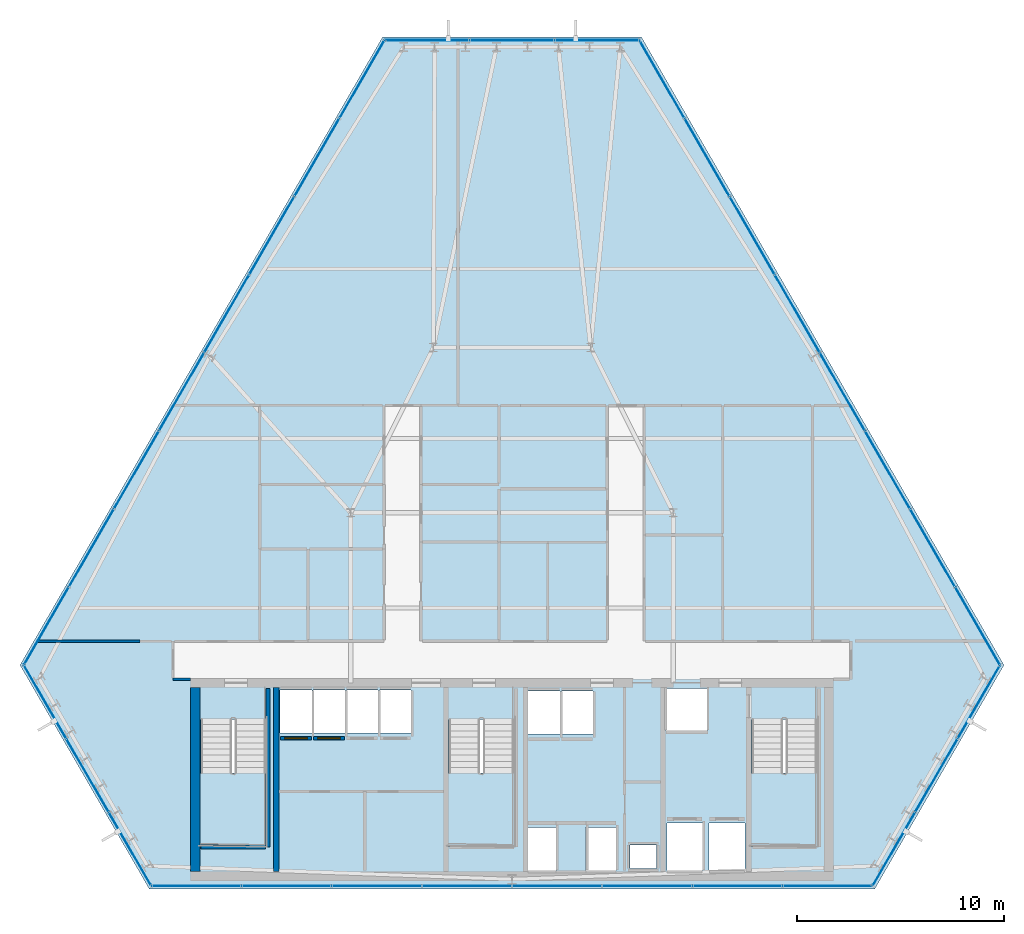
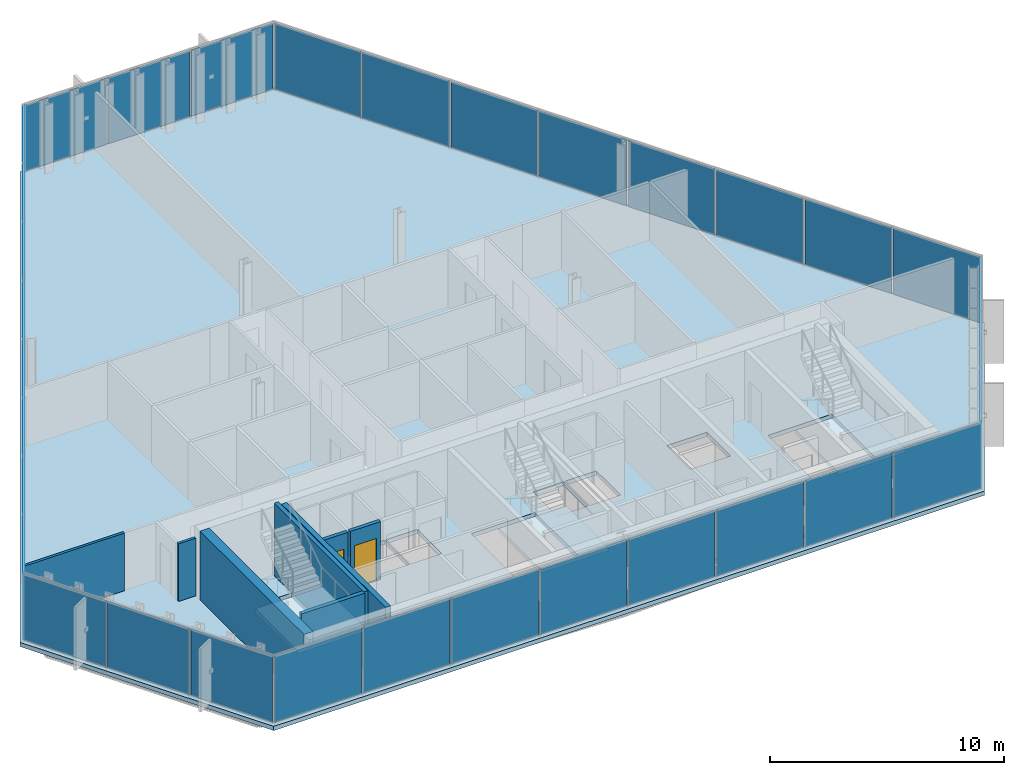
# One storey, part 24 of 32: 33 plates, 8 walls, 4 slabs, 2 doors, 2 openings, 9 elements without a shape of their own.
"""IFC4 building model written with IfcOpenShell, lengths in metres."""

from ifc_helpers import new_model, si_unit, direction, frame, frame_2d, origin, origin_2d, place, context, subcontext, project, spatial, polyline, rectangle, outline, extrude, material, layer, layer_set, type_object, element, fill, aggregate, save


model = new_model("IFC4")

# Units and contexts
model_context = context("Model", 3, precision=1e-05, world=origin(), true_north=direction((0.0, 1.0)))
body_context = subcontext(model_context, "Body", "Model", "MODEL_VIEW")
ifc_project = project(units=[si_unit("LENGTHUNIT", "METRE"), si_unit("AREAUNIT", "SQUARE_METRE"), si_unit("VOLUMEUNIT", "CUBIC_METRE"), si_unit("PLANEANGLEUNIT", "RADIAN"), si_unit("MASSUNIT", "GRAM", prefix="KILO")], contexts=[model_context])

# Site, building, storey
site_placement = place(None, origin())
site = spatial("IfcSite", under=ifc_project, at=site_placement, CompositionType="ELEMENT")
building_placement = place(site_placement, origin())
building = spatial("IfcBuilding", under=site, at=building_placement, Name="Ndaravel Arena Tower", CompositionType="ELEMENT")
storey_placement = place(building_placement, frame((0.0, 0.0, 130.800048828125)))
storey = spatial("IfcBuildingStorey", under=building, at=storey_placement, Name="L30", CompositionType="ELEMENT", Elevation=130.800048828125)

# Curtain wall, plate
ifc_material_1 = material(Name="Aluminium", Category="aluminium")
ifc_layer_1 = layer(ifc_material_1, 0.179931640625)
ifc_layer_set_1 = layer_set([ifc_layer_1], Name="Aluminium")
curtain_wall_type_1 = type_object("IfcCurtainWallType", Name="CW-SYS-01", PredefinedType="NOTDEFINED", material=ifc_layer_set_1)
curtain_wall_1_placement = place(storey_placement, origin())
curtain_wall_1 = element("IfcCurtainWall", 1, at=curtain_wall_1_placement, inside=storey, type_object=curtain_wall_type_1, Name="L30 Faceted Crystal Curtain Wall CW-L30-E02", PredefinedType="NOTDEFINED")
ifc_material_2 = material(Name="Glazing", Category="glass")
ifc_layer_2 = layer(ifc_material_2, 0.035888671875)
ifc_layer_set_2 = layer_set([ifc_layer_2], Name="Glazing")
plate_type_1 = type_object("IfcPlateType", Name="PLT-CW-OPVENT", PredefinedType="CURTAIN_PANEL", material=ifc_layer_set_2)
plate_1_placement = place(storey_placement, frame((62.528076171875, 10.50048828125, 0.06005859375), z_axis=(0.0, 0.0, 1.0), x_axis=(0.5, 0.866025403784, 0.0)))
plate_1 = element("IfcPlate", 2, at=plate_1_placement, type_object=plate_type_1, Name="CW-L30-E02 Operable Vent Sash Panel 02", PredefinedType="CURTAIN_PANEL", context=body_context, shape_type="SweptSolid", body=[
    extrude(rectangle(XDim=4.03125, YDim=0.035888671875, at=origin_2d()), origin(), (0.0, 0.0, 1.0), 3.4599609375),
])

curtain_wall_2_placement = place(storey_placement, origin())
curtain_wall_2 = element("IfcCurtainWall", 3, at=curtain_wall_2_placement, inside=storey, type_object=curtain_wall_type_1, Name="L30 Faceted Crystal Curtain Wall CW-L30-E04", PredefinedType="NOTDEFINED")
plate_2_placement = place(storey_placement, frame((42.0, 46.05615234375, 0.06005859375), z_axis=(0.0, 0.0, 1.0), x_axis=(-1.0, 0.0, 0.0)))
plate_2 = element("IfcPlate", 4, at=plate_2_placement, type_object=plate_type_1, Name="CW-L30-E04 Operable Vent Sash Panel 02", PredefinedType="CURTAIN_PANEL", context=body_context, shape_type="SweptSolid", body=[
    extrude(rectangle(XDim=4.031005859375, YDim=0.035888671875, at=origin_2d()), origin(), (0.0, 0.0, 1.0), 3.4599609375),
])

ifc_material_3 = material(Name="Aluminium", Category="aluminium")
ifc_layer_3 = layer(ifc_material_3, 0.179931640625)
ifc_layer_set_3 = layer_set([ifc_layer_3], Name="Aluminium")
curtain_wall_type_2 = type_object("IfcCurtainWallType", Name="CW-SYS-02", PredefinedType="NOTDEFINED", material=ifc_layer_set_3)
curtain_wall_3_placement = place(storey_placement, origin())
curtain_wall_3 = element("IfcCurtainWall", 5, at=curtain_wall_3_placement, inside=storey, type_object=curtain_wall_type_2, Name="L30 Faceted Crystal Curtain Wall CW-L30-E06", PredefinedType="NOTDEFINED")
plate_3_placement = place(storey_placement, frame((21.471923828125, 10.50048828125, 0.06005859375), z_axis=(0.0, 0.0, 1.0), x_axis=(0.5, -0.866025403784, 0.0)))
plate_3 = element("IfcPlate", 6, at=plate_3_placement, type_object=plate_type_1, Name="CW-L30-E06 Operable Vent Sash Panel 02", PredefinedType="CURTAIN_PANEL", context=body_context, shape_type="SweptSolid", body=[
    extrude(rectangle(XDim=4.03125, YDim=0.035888671875, at=origin_2d()), origin(), (0.0, 0.0, 1.0), 3.4599609375),
])

# Plate
ifc_material_4 = material(Name="Glazing", Category="glass")
ifc_layer_4 = layer(ifc_material_4, 0.031982421875)
ifc_layer_set_4 = layer_set([ifc_layer_4], Name="Glazing")
plate_type_2 = type_object("IfcPlateType", Name="PLT-GLZ-FRIT35", PredefinedType="CURTAIN_PANEL", material=ifc_layer_set_4)
plate_4_placement = place(storey_placement, frame((60.472412109375, 6.940185546875, 0.06005859375), z_axis=(0.0, 0.0, 1.0), x_axis=(0.5, 0.866025403784, 0.0)))
plate_4 = element("IfcPlate", 7, at=plate_4_placement, type_object=plate_type_2, Name="CW-L30-E02 Vision Glass Panel 01", PredefinedType="CURTAIN_PANEL", context=body_context, shape_type="SweptSolid", body=[
    extrude(rectangle(XDim=4.03125, YDim=0.035888671875, at=origin_2d()), origin(), (0.0, 0.0, 1.0), 3.4599609375),
])

plate_5_placement = place(storey_placement, frame((64.58349609375, 14.060791015625, 0.06005859375), z_axis=(0.0, 0.0, 1.0), x_axis=(0.5, 0.866025403784, 0.0)))
plate_5 = element("IfcPlate", 8, at=plate_5_placement, type_object=plate_type_2, Name="CW-L30-E02 Vision Glass Panel 03", PredefinedType="CURTAIN_PANEL", context=body_context, shape_type="SweptSolid", body=[
    extrude(rectangle(XDim=4.03125, YDim=0.035888671875, at=origin_2d()), origin(), (0.0, 0.0, 1.0), 3.4599609375),
])

aggregate(curtain_wall_1, [plate_4, plate_1, plate_5])

plate_6_placement = place(storey_placement, frame((46.111083984375, 46.05615234375, 0.06005859375), z_axis=(0.0, 0.0, 1.0), x_axis=(-1.0, 0.0, 0.0)))
plate_6 = element("IfcPlate", 9, at=plate_6_placement, type_object=plate_type_2, Name="CW-L30-E04 Vision Glass Panel 01", PredefinedType="CURTAIN_PANEL", context=body_context, shape_type="SweptSolid", body=[
    extrude(rectangle(XDim=4.031005859375, YDim=0.035888671875, at=origin_2d()), origin(), (0.0, 0.0, 1.0), 3.4599609375),
])

plate_7_placement = place(storey_placement, frame((37.888916015625, 46.05615234375, 0.06005859375), z_axis=(0.0, 0.0, 1.0), x_axis=(-1.0, 0.0, 0.0)))
plate_7 = element("IfcPlate", 10, at=plate_7_placement, type_object=plate_type_2, Name="CW-L30-E04 Vision Glass Panel 03", PredefinedType="CURTAIN_PANEL", context=body_context, shape_type="SweptSolid", body=[
    extrude(rectangle(XDim=4.031005859375, YDim=0.035888671875, at=origin_2d()), origin(), (0.0, 0.0, 1.0), 3.4599609375),
])

aggregate(curtain_wall_2, [plate_6, plate_2, plate_7])

ifc_material_5 = material(Name="Glazing", Category="glass")
ifc_layer_5 = layer(ifc_material_5, 0.035888671875)
ifc_layer_set_5 = layer_set([ifc_layer_5], Name="Glazing")
plate_type_3 = type_object("IfcPlateType", Name="PLT-GLZ-FRIT55", PredefinedType="CURTAIN_PANEL", material=ifc_layer_set_5)
plate_8_placement = place(storey_placement, frame((19.41650390625, 14.060791015625, 0.06005859375), z_axis=(0.0, 0.0, 1.0), x_axis=(0.5, -0.866025403784, 0.0)))
plate_8 = element("IfcPlate", 11, at=plate_8_placement, type_object=plate_type_3, Name="CW-L30-E06 Vision Glass Panel 01", PredefinedType="CURTAIN_PANEL", context=body_context, shape_type="SweptSolid", body=[
    extrude(rectangle(XDim=4.03125, YDim=0.035888671875, at=origin_2d()), origin(), (0.0, 0.0, 1.0), 3.4599609375),
])

plate_9_placement = place(storey_placement, frame((23.527587890625, 6.940185546875, 0.06005859375), z_axis=(0.0, 0.0, 1.0), x_axis=(0.5, -0.866025403784, 0.0)))
plate_9 = element("IfcPlate", 12, at=plate_9_placement, type_object=plate_type_3, Name="CW-L30-E06 Vision Glass Panel 03", PredefinedType="CURTAIN_PANEL", context=body_context, shape_type="SweptSolid", body=[
    extrude(rectangle(XDim=4.03125, YDim=0.035888671875, at=origin_2d()), origin(), (0.0, 0.0, 1.0), 3.4599609375),
])

aggregate(curtain_wall_3, [plate_8, plate_3, plate_9])

# Curtain wall, plates
ifc_material_6 = material(Name="Aluminium", Category="aluminium")
ifc_layer_6 = layer(ifc_material_6, 0.179931640625)
ifc_layer_set_6 = layer_set([ifc_layer_6], Name="Aluminium")
curtain_wall_type_3 = type_object("IfcCurtainWallType", Name="CW-SYS-03", PredefinedType="NOTDEFINED", material=ifc_layer_set_6)
curtain_wall_4_placement = place(storey_placement, origin())
curtain_wall_4 = element("IfcCurtainWall", 13, at=curtain_wall_4_placement, inside=storey, type_object=curtain_wall_type_3, Name="L30 Faceted Crystal Curtain Wall CW-L30-E01", PredefinedType="NOTDEFINED")
ifc_material_7 = material(Name="Glazing", Category="glass")
ifc_layer_7 = layer(ifc_material_7, 0.0400390625)
ifc_layer_set_7 = layer_set([ifc_layer_7], Name="Glazing")
plate_type_4 = type_object("IfcPlateType", Name="PLT-GLZ-LOWIRON", PredefinedType="CURTAIN_PANEL", material=ifc_layer_set_7)
plate_10_placement = place(storey_placement, frame((26.736083984375, 5.159912109375, 0.06005859375), z_axis=(0.0, 0.0, 1.0), x_axis=(1.0, 0.0, 0.0)))
plate_10 = element("IfcPlate", 14, at=plate_10_placement, type_object=plate_type_4, Name="CW-L30-E01 Vision Glass Panel 01", PredefinedType="CURTAIN_PANEL", context=body_context, shape_type="SweptSolid", body=[
    extrude(rectangle(XDim=4.28125, YDim=0.035888671875, at=origin_2d()), origin(), (0.0, 0.0, 1.0), 3.4599609375),
])
plate_11_placement = place(storey_placement, frame((31.09716796875, 5.159912109375, 0.06005859375), z_axis=(0.0, 0.0, 1.0), x_axis=(1.0, 0.0, 0.0)))
plate_11 = element("IfcPlate", 15, at=plate_11_placement, type_object=plate_type_4, Name="CW-L30-E01 Vision Glass Panel 02", PredefinedType="CURTAIN_PANEL", context=body_context, shape_type="SweptSolid", body=[
    extrude(rectangle(XDim=4.28125, YDim=0.035888671875, at=origin_2d()), origin(), (0.0, 0.0, 1.0), 3.4599609375),
])
plate_12_placement = place(storey_placement, frame((35.458251953125, 5.159912109375, 0.06005859375), z_axis=(0.0, 0.0, 1.0), x_axis=(1.0, 0.0, 0.0)))
plate_12 = element("IfcPlate", 16, at=plate_12_placement, type_object=plate_type_4, Name="CW-L30-E01 Vision Glass Panel 03", PredefinedType="CURTAIN_PANEL", context=body_context, shape_type="SweptSolid", body=[
    extrude(rectangle(XDim=4.28125, YDim=0.035888671875, at=origin_2d()), origin(), (0.0, 0.0, 1.0), 3.4599609375),
])
plate_13_placement = place(storey_placement, frame((39.8193359375, 5.159912109375, 0.06005859375), z_axis=(0.0, 0.0, 1.0), x_axis=(1.0, 0.0, 0.0)))
plate_13 = element("IfcPlate", 17, at=plate_13_placement, type_object=plate_type_4, Name="CW-L30-E01 Vision Glass Panel 04", PredefinedType="CURTAIN_PANEL", context=body_context, shape_type="SweptSolid", body=[
    extrude(rectangle(XDim=4.28125, YDim=0.035888671875, at=origin_2d()), origin(), (0.0, 0.0, 1.0), 3.4599609375),
])
plate_14_placement = place(storey_placement, frame((44.1806640625, 5.159912109375, 0.06005859375), z_axis=(0.0, 0.0, 1.0), x_axis=(1.0, 0.0, 0.0)))
plate_14 = element("IfcPlate", 18, at=plate_14_placement, type_object=plate_type_4, Name="CW-L30-E01 Vision Glass Panel 05", PredefinedType="CURTAIN_PANEL", context=body_context, shape_type="SweptSolid", body=[
    extrude(rectangle(XDim=4.28125, YDim=0.035888671875, at=origin_2d()), origin(), (0.0, 0.0, 1.0), 3.4599609375),
])
plate_15_placement = place(storey_placement, frame((48.541748046875, 5.159912109375, 0.06005859375), z_axis=(0.0, 0.0, 1.0), x_axis=(1.0, 0.0, 0.0)))
plate_15 = element("IfcPlate", 19, at=plate_15_placement, type_object=plate_type_4, Name="CW-L30-E01 Vision Glass Panel 06", PredefinedType="CURTAIN_PANEL", context=body_context, shape_type="SweptSolid", body=[
    extrude(rectangle(XDim=4.28125, YDim=0.035888671875, at=origin_2d()), origin(), (0.0, 0.0, 1.0), 3.4599609375),
])
plate_16_placement = place(storey_placement, frame((52.90283203125, 5.159912109375, 0.06005859375), z_axis=(0.0, 0.0, 1.0), x_axis=(1.0, 0.0, 0.0)))
plate_16 = element("IfcPlate", 20, at=plate_16_placement, type_object=plate_type_4, Name="CW-L30-E01 Vision Glass Panel 07", PredefinedType="CURTAIN_PANEL", context=body_context, shape_type="SweptSolid", body=[
    extrude(rectangle(XDim=4.28125, YDim=0.035888671875, at=origin_2d()), origin(), (0.0, 0.0, 1.0), 3.4599609375),
])
plate_17_placement = place(storey_placement, frame((57.263916015625, 5.159912109375, 0.06005859375), z_axis=(0.0, 0.0, 1.0), x_axis=(1.0, 0.0, 0.0)))
plate_17 = element("IfcPlate", 21, at=plate_17_placement, type_object=plate_type_4, Name="CW-L30-E01 Vision Glass Panel 08", PredefinedType="CURTAIN_PANEL", context=body_context, shape_type="SweptSolid", body=[
    extrude(rectangle(XDim=4.28125, YDim=0.035888671875, at=origin_2d()), origin(), (0.0, 0.0, 1.0), 3.4599609375),
])
aggregate(curtain_wall_4, [plate_10, plate_11, plate_12, plate_13, plate_14, plate_15, plate_16, plate_17])

curtain_wall_5_placement = place(storey_placement, origin())
curtain_wall_5 = element("IfcCurtainWall", 22, at=curtain_wall_5_placement, inside=storey, type_object=curtain_wall_type_3, Name="L30 Faceted Crystal Curtain Wall CW-L30-E03", PredefinedType="NOTDEFINED")
plate_18_placement = place(storey_placement, frame((64.52099609375, 17.7294921875, 0.06005859375), z_axis=(0.0, 0.0, 1.0), x_axis=(-0.5, 0.866025403784, 0.0)))
plate_18 = element("IfcPlate", 23, at=plate_18_placement, type_object=plate_type_4, Name="CW-L30-E03 Vision Glass Panel 01", PredefinedType="CURTAIN_PANEL", context=body_context, shape_type="SweptSolid", body=[
    extrude(rectangle(XDim=4.28125, YDim=0.035888671875, at=origin_2d()), origin(), (0.0, 0.0, 1.0), 3.4599609375),
])
plate_19_placement = place(storey_placement, frame((62.34033203125, 21.50634765625, 0.06005859375), z_axis=(0.0, 0.0, 1.0), x_axis=(-0.5, 0.866025403784, 0.0)))
plate_19 = element("IfcPlate", 24, at=plate_19_placement, type_object=plate_type_4, Name="CW-L30-E03 Vision Glass Panel 02", PredefinedType="CURTAIN_PANEL", context=body_context, shape_type="SweptSolid", body=[
    extrude(rectangle(XDim=4.28125, YDim=0.035888671875, at=origin_2d()), origin(), (0.0, 0.0, 1.0), 3.4599609375),
])
plate_20_placement = place(storey_placement, frame((60.159912109375, 25.283203125, 0.06005859375), z_axis=(0.0, 0.0, 1.0), x_axis=(-0.5, 0.866025403784, 0.0)))
plate_20 = element("IfcPlate", 25, at=plate_20_placement, type_object=plate_type_4, Name="CW-L30-E03 Vision Glass Panel 03", PredefinedType="CURTAIN_PANEL", context=body_context, shape_type="SweptSolid", body=[
    extrude(rectangle(XDim=4.28125, YDim=0.035888671875, at=origin_2d()), origin(), (0.0, 0.0, 1.0), 3.4599609375),
])
plate_21_placement = place(storey_placement, frame((57.979248046875, 29.060302734375, 0.06005859375), z_axis=(0.0, 0.0, 1.0), x_axis=(-0.5, 0.866025403784, 0.0)))
plate_21 = element("IfcPlate", 26, at=plate_21_placement, type_object=plate_type_4, Name="CW-L30-E03 Vision Glass Panel 04", PredefinedType="CURTAIN_PANEL", context=body_context, shape_type="SweptSolid", body=[
    extrude(rectangle(XDim=4.28125, YDim=0.035888671875, at=origin_2d()), origin(), (0.0, 0.0, 1.0), 3.4599609375),
])
plate_22_placement = place(storey_placement, frame((55.798583984375, 32.8369140625, 0.06005859375), z_axis=(0.0, 0.0, 1.0), x_axis=(-0.5, 0.866025403784, 0.0)))
plate_22 = element("IfcPlate", 27, at=plate_22_placement, type_object=plate_type_4, Name="CW-L30-E03 Vision Glass Panel 05", PredefinedType="CURTAIN_PANEL", context=body_context, shape_type="SweptSolid", body=[
    extrude(rectangle(XDim=4.28125, YDim=0.035888671875, at=origin_2d()), origin(), (0.0, 0.0, 1.0), 3.4599609375),
])
plate_23_placement = place(storey_placement, frame((53.6181640625, 36.614013671875, 0.06005859375), z_axis=(0.0, 0.0, 1.0), x_axis=(-0.5, 0.866025403784, 0.0)))
plate_23 = element("IfcPlate", 28, at=plate_23_placement, type_object=plate_type_4, Name="CW-L30-E03 Vision Glass Panel 06", PredefinedType="CURTAIN_PANEL", context=body_context, shape_type="SweptSolid", body=[
    extrude(rectangle(XDim=4.28125, YDim=0.035888671875, at=origin_2d()), origin(), (0.0, 0.0, 1.0), 3.4599609375),
])
plate_24_placement = place(storey_placement, frame((51.4375, 40.390869140625, 0.06005859375), z_axis=(0.0, 0.0, 1.0), x_axis=(-0.5, 0.866025403784, 0.0)))
plate_24 = element("IfcPlate", 29, at=plate_24_placement, type_object=plate_type_4, Name="CW-L30-E03 Vision Glass Panel 07", PredefinedType="CURTAIN_PANEL", context=body_context, shape_type="SweptSolid", body=[
    extrude(rectangle(XDim=4.28125, YDim=0.035888671875, at=origin_2d()), origin(), (0.0, 0.0, 1.0), 3.4599609375),
])
plate_25_placement = place(storey_placement, frame((49.257080078125, 44.167724609375, 0.06005859375), z_axis=(0.0, 0.0, 1.0), x_axis=(-0.5, 0.866025403784, 0.0)))
plate_25 = element("IfcPlate", 30, at=plate_25_placement, type_object=plate_type_4, Name="CW-L30-E03 Vision Glass Panel 08", PredefinedType="CURTAIN_PANEL", context=body_context, shape_type="SweptSolid", body=[
    extrude(rectangle(XDim=4.28125, YDim=0.035888671875, at=origin_2d()), origin(), (0.0, 0.0, 1.0), 3.4599609375),
])
aggregate(curtain_wall_5, [plate_18, plate_19, plate_20, plate_21, plate_22, plate_23, plate_24, plate_25])

curtain_wall_6_placement = place(storey_placement, origin())
curtain_wall_6 = element("IfcCurtainWall", 31, at=curtain_wall_6_placement, inside=storey, type_object=curtain_wall_type_3, Name="L30 Faceted Crystal Curtain Wall CW-L30-E05", PredefinedType="NOTDEFINED")
plate_26_placement = place(storey_placement, frame((34.742919921875, 44.167724609375, 0.06005859375), z_axis=(0.0, 0.0, 1.0), x_axis=(-0.5, -0.866025403784, 0.0)))
plate_26 = element("IfcPlate", 32, at=plate_26_placement, type_object=plate_type_4, Name="CW-L30-E05 Vision Glass Panel 01", PredefinedType="CURTAIN_PANEL", context=body_context, shape_type="SweptSolid", body=[
    extrude(rectangle(XDim=4.28125, YDim=0.035888671875, at=origin_2d()), origin(), (0.0, 0.0, 1.0), 3.4599609375),
])
plate_27_placement = place(storey_placement, frame((32.5625, 40.390869140625, 0.06005859375), z_axis=(0.0, 0.0, 1.0), x_axis=(-0.5, -0.866025403784, 0.0)))
plate_27 = element("IfcPlate", 33, at=plate_27_placement, type_object=plate_type_4, Name="CW-L30-E05 Vision Glass Panel 02", PredefinedType="CURTAIN_PANEL", context=body_context, shape_type="SweptSolid", body=[
    extrude(rectangle(XDim=4.28125, YDim=0.035888671875, at=origin_2d()), origin(), (0.0, 0.0, 1.0), 3.4599609375),
])
plate_28_placement = place(storey_placement, frame((30.3818359375, 36.614013671875, 0.06005859375), z_axis=(0.0, 0.0, 1.0), x_axis=(-0.5, -0.866025403784, 0.0)))
plate_28 = element("IfcPlate", 34, at=plate_28_placement, type_object=plate_type_4, Name="CW-L30-E05 Vision Glass Panel 03", PredefinedType="CURTAIN_PANEL", context=body_context, shape_type="SweptSolid", body=[
    extrude(rectangle(XDim=4.28125, YDim=0.035888671875, at=origin_2d()), origin(), (0.0, 0.0, 1.0), 3.4599609375),
])
plate_29_placement = place(storey_placement, frame((28.201416015625, 32.8369140625, 0.06005859375), z_axis=(0.0, 0.0, 1.0), x_axis=(-0.5, -0.866025403784, 0.0)))
plate_29 = element("IfcPlate", 35, at=plate_29_placement, type_object=plate_type_4, Name="CW-L30-E05 Vision Glass Panel 04", PredefinedType="CURTAIN_PANEL", context=body_context, shape_type="SweptSolid", body=[
    extrude(rectangle(XDim=4.28125, YDim=0.035888671875, at=origin_2d()), origin(), (0.0, 0.0, 1.0), 3.4599609375),
])
plate_30_placement = place(storey_placement, frame((26.020751953125, 29.060302734375, 0.06005859375), z_axis=(0.0, 0.0, 1.0), x_axis=(-0.5, -0.866025403784, 0.0)))
plate_30 = element("IfcPlate", 36, at=plate_30_placement, type_object=plate_type_4, Name="CW-L30-E05 Vision Glass Panel 05", PredefinedType="CURTAIN_PANEL", context=body_context, shape_type="SweptSolid", body=[
    extrude(rectangle(XDim=4.28125, YDim=0.035888671875, at=origin_2d()), origin(), (0.0, 0.0, 1.0), 3.4599609375),
])
plate_31_placement = place(storey_placement, frame((23.840087890625, 25.283203125, 0.06005859375), z_axis=(0.0, 0.0, 1.0), x_axis=(-0.5, -0.866025403784, 0.0)))
plate_31 = element("IfcPlate", 37, at=plate_31_placement, type_object=plate_type_4, Name="CW-L30-E05 Vision Glass Panel 06", PredefinedType="CURTAIN_PANEL", context=body_context, shape_type="SweptSolid", body=[
    extrude(rectangle(XDim=4.28125, YDim=0.035888671875, at=origin_2d()), origin(), (0.0, 0.0, 1.0), 3.4599609375),
])
plate_32_placement = place(storey_placement, frame((21.65966796875, 21.50634765625, 0.06005859375), z_axis=(0.0, 0.0, 1.0), x_axis=(-0.5, -0.866025403784, 0.0)))
plate_32 = element("IfcPlate", 38, at=plate_32_placement, type_object=plate_type_4, Name="CW-L30-E05 Vision Glass Panel 07", PredefinedType="CURTAIN_PANEL", context=body_context, shape_type="SweptSolid", body=[
    extrude(rectangle(XDim=4.28125, YDim=0.035888671875, at=origin_2d()), origin(), (0.0, 0.0, 1.0), 3.4599609375),
])
plate_33_placement = place(storey_placement, frame((19.47900390625, 17.7294921875, 0.06005859375), z_axis=(0.0, 0.0, 1.0), x_axis=(-0.5, -0.866025403784, 0.0)))
plate_33 = element("IfcPlate", 39, at=plate_33_placement, type_object=plate_type_4, Name="CW-L30-E05 Vision Glass Panel 08", PredefinedType="CURTAIN_PANEL", context=body_context, shape_type="SweptSolid", body=[
    extrude(rectangle(XDim=4.28125, YDim=0.035888671875, at=origin_2d()), origin(), (0.0, 0.0, 1.0), 3.4599609375),
])
aggregate(curtain_wall_6, [plate_26, plate_27, plate_28, plate_29, plate_30, plate_31, plate_32, plate_33])

# Stair, slab
ifc_material_8 = material(Name="Concrete C40/50", Category="concrete")
stair_type = type_object("IfcStairType", Name="STAIR-CORE-HT", PredefinedType="HALF_TURN_STAIR", material=ifc_material_8)
stair_1_placement = place(storey_placement, origin())
stair_1 = element("IfcStair", 40, at=stair_1_placement, inside=storey, type_object=stair_type, Name="L30 ST-1", PredefinedType="HALF_TURN_STAIR")
ifc_material_9 = material(Name="Concrete C40/50", Category="concrete")
ifc_layer_8 = layer(ifc_material_9, 0.199951171875)
ifc_layer_set_8 = layer_set([ifc_layer_8], Name="Concrete C40/50")
slab_type_1 = type_object("IfcSlabType", Name="SLAB-STAIR-LANDING", PredefinedType="LANDING", material=ifc_layer_set_8)
slab_1_placement = place(storey_placement, frame((0.0, 0.0, 1.699951171875)))
slab_1 = element("IfcSlab", 41, at=slab_1_placement, type_object=slab_type_1, Name="ST-1 landing 1", PredefinedType="LANDING", context=body_context, shape_type="SweptSolid", body=[
    extrude(outline(polyline([(26.81005859375, 10.6298828125), (26.81005859375, 7.070068359375), (30.169921875, 7.070068359375), (30.169921875, 10.6298828125), (26.81005859375, 10.6298828125)])), origin(), (0.0, 0.0, 1.0), 0.199951171875),
])
aggregate(stair_1, [slab_1])

stair_2_placement = place(storey_placement, origin())
stair_2 = element("IfcStair", 42, at=stair_2_placement, inside=storey, type_object=stair_type, Name="L30 ST-2", PredefinedType="HALF_TURN_STAIR")
slab_2_placement = place(storey_placement, frame((0.0, 0.0, 1.699951171875)))
slab_2 = element("IfcSlab", 43, at=slab_2_placement, type_object=slab_type_1, Name="ST-2 landing 1", PredefinedType="LANDING", context=body_context, shape_type="SweptSolid", body=[
    extrude(outline(polyline([(38.81005859375, 10.6298828125), (38.81005859375, 7.070068359375), (42.169921875, 7.070068359375), (42.169921875, 10.6298828125), (38.81005859375, 10.6298828125)])), origin(), (0.0, 0.0, 1.0), 0.199951171875),
])
aggregate(stair_2, [slab_2])

stair_3_placement = place(storey_placement, origin())
stair_3 = element("IfcStair", 44, at=stair_3_placement, inside=storey, type_object=stair_type, Name="L30 ST-3", PredefinedType="HALF_TURN_STAIR")
slab_3_placement = place(storey_placement, frame((0.0, 0.0, 1.699951171875)))
slab_3 = element("IfcSlab", 45, at=slab_3_placement, type_object=slab_type_1, Name="ST-3 landing 1", PredefinedType="LANDING", context=body_context, shape_type="SweptSolid", body=[
    extrude(outline(polyline([(53.4599609375, 10.6298828125), (53.4599609375, 7.070068359375), (56.820068359375, 7.070068359375), (56.820068359375, 10.6298828125), (53.4599609375, 10.6298828125)])), origin(), (0.0, 0.0, 1.0), 0.199951171875),
])
aggregate(stair_3, [slab_3])

# Slab
ifc_material_10 = material(Name="Concrete C40/50", Category="concrete")
ifc_layer_9 = layer(ifc_material_10, 0.219970703125)
ifc_layer_set_9 = layer_set([ifc_layer_9], Name="Concrete C40/50")
slab_type_2 = type_object("IfcSlabType", Name="SLAB-TWR-220", PredefinedType="FLOOR", material=ifc_layer_set_9)
slab_4_placement = place(storey_placement, frame((0.0, 0.0, -0.219970703125)))
element("IfcSlab", 46, at=slab_4_placement, inside=storey, type_object=slab_type_2, Name="L30 Structural Floor Slab", PredefinedType="FLOOR", context=body_context, shape_type="SweptSolid", body=[
    extrude(outline(polyline([(18.203857421875, 15.841064453125), (24.462890625, 5.0), (59.537109375, 5.0), (65.796142578125, 15.841064453125), (48.259033203125, 46.216064453125), (35.740966796875, 46.216064453125), (18.203857421875, 15.841064453125)]), holes=[polyline([(26.949951171875, 13.215087890625), (26.949951171875, 7.14990234375), (30.090087890625, 7.14990234375), (30.090087890625, 13.215087890625), (26.949951171875, 13.215087890625)]), polyline([(38.949951171875, 13.215087890625), (38.949951171875, 7.14990234375), (42.090087890625, 7.14990234375), (42.090087890625, 13.215087890625), (38.949951171875, 13.215087890625)]), polyline([(53.60009765625, 13.215087890625), (53.60009765625, 7.14990234375), (56.739990234375, 7.14990234375), (56.739990234375, 13.215087890625), (53.60009765625, 13.215087890625)]), polyline([(30.784912109375, 12.56005859375), (32.31494140625, 12.56005859375), (32.31494140625, 14.639892578125), (30.784912109375, 14.639892578125), (30.784912109375, 12.56005859375)]), polyline([(32.385009765625, 12.56005859375), (33.9150390625, 12.56005859375), (33.9150390625, 14.639892578125), (32.385009765625, 14.639892578125), (32.385009765625, 12.56005859375)]), polyline([(33.985107421875, 12.56005859375), (35.514892578125, 12.56005859375), (35.514892578125, 14.639892578125), (33.985107421875, 14.639892578125), (33.985107421875, 12.56005859375)]), polyline([(35.5849609375, 12.56005859375), (37.114990234375, 12.56005859375), (37.114990234375, 14.639892578125), (35.5849609375, 14.639892578125), (35.5849609375, 12.56005859375)]), polyline([(42.659912109375, 5.909912109375), (44.139892578125, 5.909912109375), (44.139892578125, 7.989990234375), (42.659912109375, 7.989990234375), (42.659912109375, 5.909912109375)]), polyline([(45.56005859375, 5.909912109375), (47.0400390625, 5.909912109375), (47.0400390625, 7.989990234375), (45.56005859375, 7.989990234375), (45.56005859375, 5.909912109375)]), polyline([(42.784912109375, 12.510009765625), (44.31494140625, 12.510009765625), (44.31494140625, 14.590087890625), (42.784912109375, 14.590087890625), (42.784912109375, 12.510009765625)]), polyline([(44.385009765625, 12.510009765625), (45.9150390625, 12.510009765625), (45.9150390625, 14.590087890625), (44.385009765625, 14.590087890625), (44.385009765625, 12.510009765625)]), polyline([(49.485107421875, 5.909912109375), (51.215087890625, 5.909912109375), (51.215087890625, 8.18994140625), (49.485107421875, 8.18994140625), (49.485107421875, 5.909912109375)]), polyline([(51.534912109375, 5.909912109375), (53.264892578125, 5.909912109375), (53.264892578125, 8.18994140625), (51.534912109375, 8.18994140625), (51.534912109375, 5.909912109375)]), polyline([(49.4599609375, 12.68505859375), (51.43994140625, 12.68505859375), (51.43994140625, 14.715087890625), (49.4599609375, 14.715087890625), (49.4599609375, 12.68505859375)]), polyline([(47.699951171875, 6.0), (49.0, 6.0), (49.0, 7.139892578125), (47.699951171875, 7.139892578125), (47.699951171875, 6.0)])]), origin(), (0.0, 0.0, 1.0), 0.219970703125),
])

# Walls
ifc_material_11 = material(Name="Concrete C60/75", Category="concrete")
ifc_layer_10 = layer(ifc_material_11, 0.25)
ifc_layer_set_10 = layer_set([ifc_layer_10], Name="Concrete C60/75")
wall_type_1 = type_object("IfcWallType", Name="WALL-CORE-250", PredefinedType="SOLIDWALL", material=ifc_layer_set_10)
wall_1_placement = place(storey_placement, frame((30.60009765625, 5.85009765625, 0.0), z_axis=(0.0, 0.0, 1.0), x_axis=(0.0, 1.0, 0.0)))
element("IfcWall", 47, at=wall_1_placement, inside=storey, type_object=wall_type_1, Name="L30 Core Web Shear Wall 1", PredefinedType="SOLIDWALL", context=body_context, shape_type="SweptSolid", body=[
    extrude(rectangle(XDim=8.89990234375, YDim=0.25, at=frame_2d((4.449951171875, 0.0))), origin(), (0.0, 0.0, 1.0), 3.579833984375),
])
ifc_material_12 = material(Name="Concrete C60/75", Category="concrete")
ifc_layer_11 = layer(ifc_material_12, 0.449951171875)
ifc_layer_set_11 = layer_set([ifc_layer_11], Name="Concrete C60/75")
wall_type_2 = type_object("IfcWallType", Name="WALL-CORE-450", PredefinedType="SOLIDWALL", material=ifc_layer_set_11)
wall_2_placement = place(storey_placement, frame((26.675048828125, 5.85009765625, 0.0), z_axis=(0.0, 0.0, 1.0), x_axis=(0.0, 1.0, 0.0)))
element("IfcWall", 48, at=wall_2_placement, inside=storey, type_object=wall_type_2, Name="L30 Core West Shear Wall", PredefinedType="SOLIDWALL", context=body_context, shape_type="SweptSolid", body=[
    extrude(rectangle(XDim=8.89990234375, YDim=0.449951171875, at=frame_2d((4.449951171875, 0.0))), origin(), (0.0, 0.0, 1.0), 3.579833984375),
])
ifc_material_13 = material(Name="Gypsum", Category="gypsum")
ifc_layer_12 = layer(ifc_material_13, 0.125)
ifc_layer_set_12 = layer_set([ifc_layer_12], Name="Gypsum")
wall_type_3 = type_object("IfcWallType", Name="WALL-PART-125", PredefinedType="PARTITIONING", material=ifc_layer_set_12)
wall_3_placement = place(storey_placement, frame((26.449951171875, 15.14990234375, 0.0), z_axis=(0.0, 0.0, 1.0), x_axis=(-1.0, 0.0, 0.0)))
element("IfcWall", 49, at=wall_3_placement, inside=storey, type_object=wall_type_3, Name="L30 Interior Partition 003", PredefinedType="PARTITIONING", context=body_context, shape_type="SweptSolid", body=[
    extrude(rectangle(XDim=0.849853515625, YDim=0.125, at=frame_2d((0.4248046875, 0.0))), origin(), (0.0, 0.0, 1.0), 3.010498046875),
])
wall_4_placement = place(storey_placement, frame((19.0576171875, 17.0, 0.0), z_axis=(0.0, 0.0, 1.0), x_axis=(1.0, 0.0, 0.0)))
element("IfcWall", 50, at=wall_4_placement, inside=storey, type_object=wall_type_3, Name="L30 Interior Partition 027", PredefinedType="PARTITIONING", context=body_context, shape_type="SweptSolid", body=[
    extrude(rectangle(XDim=4.9423828125, YDim=0.125, at=frame_2d((2.47119140625, 0.0))), origin(), (0.0, 0.0, 1.0), 3.010498046875),
])
ifc_material_14 = material(Name="Concrete C40/50", Category="concrete")
ifc_layer_13 = layer(ifc_material_14, 0.199951171875)
ifc_layer_set_13 = layer_set([ifc_layer_13], Name="Concrete C40/50")
wall_type_4 = type_object("IfcWallType", Name="WALL-SHAFT-200", PredefinedType="SOLIDWALL", material=ifc_layer_set_13)
wall_5_placement = place(storey_placement, frame((30.18994140625, 14.699951171875, 0.0), z_axis=(0.0, 0.0, 1.0), x_axis=(0.0, -1.0, 0.0)))
element("IfcWall", 51, at=wall_5_placement, inside=storey, type_object=wall_type_4, Name="L30 ST-1 Structural Shaft Wall Right", PredefinedType="SOLIDWALL", context=body_context, shape_type="SweptSolid", body=[
    extrude(rectangle(XDim=7.64990234375, YDim=0.199951171875, at=frame_2d((3.824951171875, 0.0))), origin(), (0.0, 0.0, 1.0), 3.800048828125),
])
wall_6_placement = place(storey_placement, frame((26.969970703125, 7.050048828125, 0.0), z_axis=(0.0, 0.0, 1.0), x_axis=(1.0, 0.0, 0.0)))
element("IfcWall", 52, at=wall_6_placement, inside=storey, type_object=wall_type_4, Name="L30 ST-1 Structural Shaft Wall Far", PredefinedType="SOLIDWALL", context=body_context, shape_type="SweptSolid", body=[
    extrude(rectangle(XDim=3.114990234375, YDim=0.199951171875, at=frame_2d((1.5576171875, 0.0))), origin(), (0.0, 0.0, 1.0), 3.800048828125),
])

# Wall, opening, door
wall_7_placement = place(storey_placement, frame((30.804931640625, 12.300048828125, 0.0), z_axis=(0.0, 0.0, 1.0), x_axis=(1.0, 0.0, 0.0)))
wall_7 = element("IfcWall", 53, at=wall_7_placement, inside=storey, type_object=wall_type_4, Name="L30 PL-M1 Shaft Landing Wall", PredefinedType="SOLIDWALL", context=body_context, shape_type="SweptSolid", body=[
    extrude(rectangle(XDim=1.489990234375, YDim=0.179931640625, at=frame_2d((0.7451171875, 0.0))), origin(), (0.0, 0.0, 1.0), 3.010498046875),
])
opening_1_placement = place(wall_7_placement, frame((0.195068359375, 0.0, 0.0)))
opening_1 = element("IfcOpeningElement", 54, at=opening_1_placement, cuts=wall_7, Name="Opening LD-01", PredefinedType="OPENING", context=body_context, shape_type="SweptSolid", body=[
    extrude(rectangle(XDim=1.10009765625, YDim=2.199951171875, at=frame_2d((0.550048828125, 1.10009765625))), frame((0.0, 0.08984375, 0.0), z_axis=(0.0, -1.0, 0.0), x_axis=(1.0, 0.0, 0.0)), (0.0, 0.0, 1.0), 0.179931640625),
])
ifc_material_15 = material(Name="Steel S355", Category="steel")
door_type = type_object("IfcDoorType", Name="DT-06-LIFT-1100", OperationType="SLIDING_TO_LEFT", PredefinedType="DOOR", material=ifc_material_15)
door_1_placement = place(opening_1_placement, origin())
door_1 = element("IfcDoor", 55, at=door_1_placement, inside=storey, type_object=door_type, Name="L30 Lift PL-M1 Sliding Landing Door", OperationType="SLIDING_TO_LEFT", OverallHeight=2.199951171875, OverallWidth=1.10009765625, PredefinedType="DOOR", context=body_context, shape_type="SweptSolid", body=[
    extrude(rectangle(XDim=1.10009765625, YDim=2.199951171875, at=frame_2d((0.550048828125, 1.10009765625))), frame((0.0, 0.02490234375, 0.0), z_axis=(0.0, -1.0, 0.0), x_axis=(1.0, 0.0, 0.0)), (0.0, 0.0, 1.0), 0.050048828125),
])
fill(opening_1, door_1)

wall_8_placement = place(storey_placement, frame((32.405029296875, 12.300048828125, 0.0), z_axis=(0.0, 0.0, 1.0), x_axis=(1.0, 0.0, 0.0)))
wall_8 = element("IfcWall", 56, at=wall_8_placement, inside=storey, type_object=wall_type_4, Name="L30 PL-M2 Shaft Landing Wall", PredefinedType="SOLIDWALL", context=body_context, shape_type="SweptSolid", body=[
    extrude(rectangle(XDim=1.489990234375, YDim=0.179931640625, at=frame_2d((0.7451171875, 0.0))), origin(), (0.0, 0.0, 1.0), 3.010498046875),
])
opening_2_placement = place(wall_8_placement, frame((0.195068359375, 0.0, 0.0)))
opening_2 = element("IfcOpeningElement", 57, at=opening_2_placement, cuts=wall_8, Name="Opening LD-01", PredefinedType="OPENING", context=body_context, shape_type="SweptSolid", body=[
    extrude(rectangle(XDim=1.10009765625, YDim=2.199951171875, at=frame_2d((0.550048828125, 1.10009765625))), frame((0.0, 0.08984375, 0.0), z_axis=(0.0, -1.0, 0.0), x_axis=(1.0, 0.0, 0.0)), (0.0, 0.0, 1.0), 0.179931640625),
])
door_2_placement = place(opening_2_placement, origin())
door_2 = element("IfcDoor", 58, at=door_2_placement, inside=storey, type_object=door_type, Name="L30 Lift PL-M2 Sliding Landing Door", OperationType="SLIDING_TO_LEFT", OverallHeight=2.199951171875, OverallWidth=1.10009765625, PredefinedType="DOOR", context=body_context, shape_type="SweptSolid", body=[
    extrude(rectangle(XDim=1.10009765625, YDim=2.199951171875, at=frame_2d((0.550048828125, 1.10009765625))), frame((0.0, 0.02490234375, 0.0), z_axis=(0.0, -1.0, 0.0), x_axis=(1.0, 0.0, 0.0)), (0.0, 0.0, 1.0), 0.050048828125),
])
fill(opening_2, door_2)

save(model, "model.ifc")
